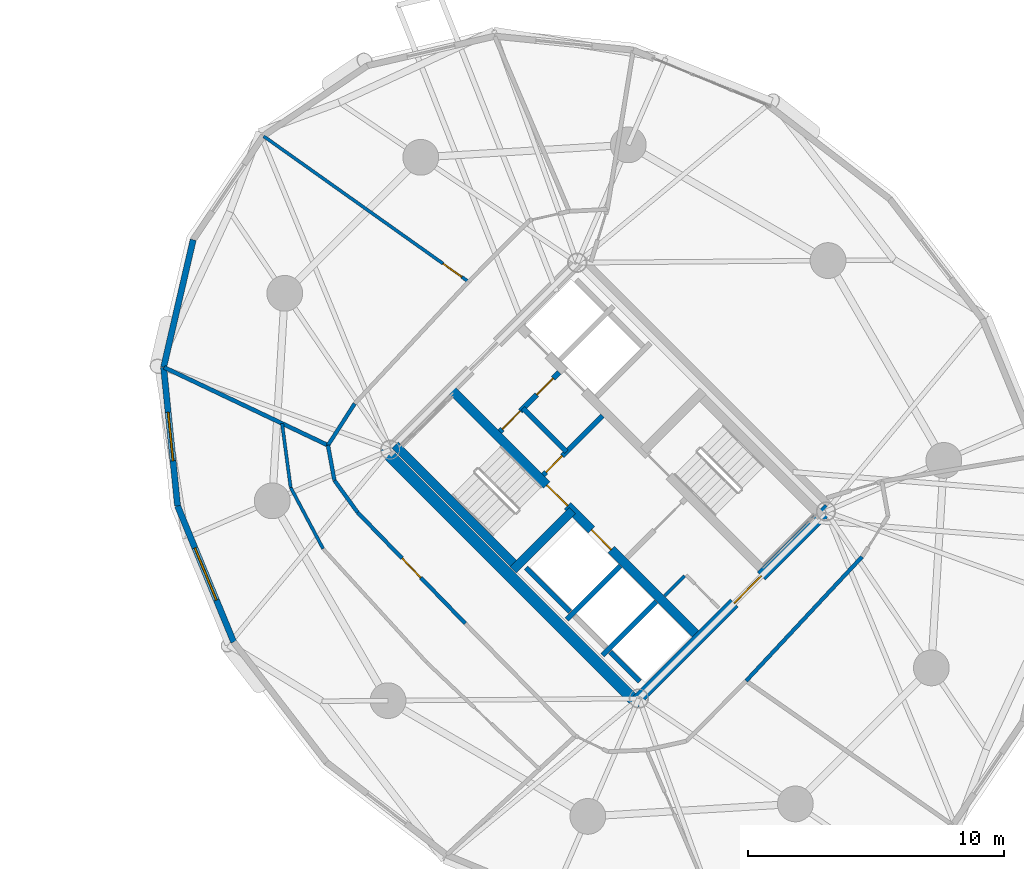
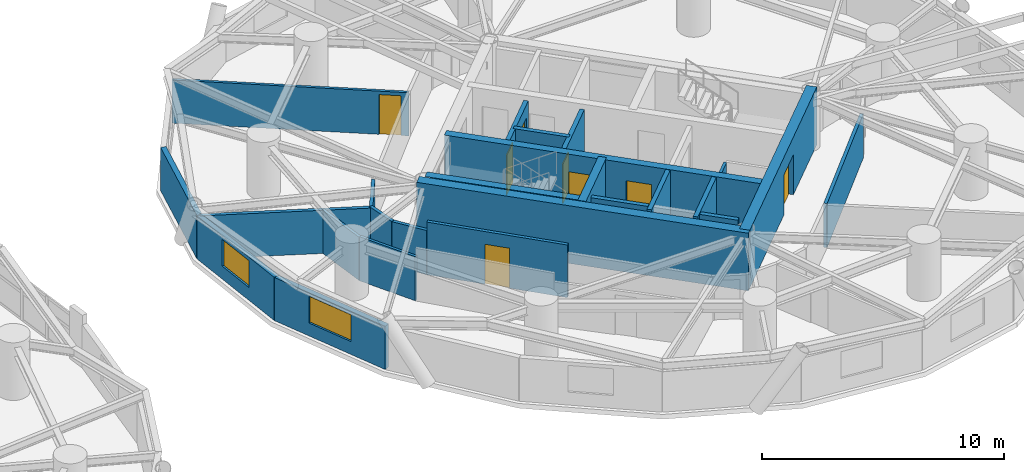
# One storey, part 12 of 17: 25 walls, 8 doors, 2 windows, 10 openings.
"""IFC4 building model written with IfcOpenShell, lengths in metres."""

from ifc_helpers import new_model, si_unit, direction, frame, frame_2d, origin, place, context, subcontext, project, spatial, rectangle, extrude, source, transform, mapped, material, layer, layer_set, type_object, element, fill, save


model = new_model("IFC4")

# Units and contexts
model_context = context("Model", 3, precision=1e-05, world=origin(), true_north=direction((0.0, 1.0)))
body_context = subcontext(model_context, "Body", "Model", "MODEL_VIEW")
ifc_project = project(units=[si_unit("LENGTHUNIT", "METRE"), si_unit("AREAUNIT", "SQUARE_METRE"), si_unit("VOLUMEUNIT", "CUBIC_METRE"), si_unit("PLANEANGLEUNIT", "RADIAN"), si_unit("MASSUNIT", "GRAM", prefix="KILO")], contexts=[model_context])

# Site, building, storey
site_placement = place(None, origin())
site = spatial("IfcSite", under=ifc_project, at=site_placement, CompositionType="ELEMENT")
building_placement = place(site_placement, origin())
building = spatial("IfcBuilding", under=site, at=building_placement, Name="Cununo Teusaquillo Station Towers", CompositionType="ELEMENT")
storey_placement = place(building_placement, frame((0.0, 0.0, 116.7099609375)))
storey = spatial("IfcBuildingStorey", under=building, at=storey_placement, Name="L37", CompositionType="ELEMENT", Elevation=116.7099609375)

# Walls
ifc_material_1 = material(Name="Concrete C50/60", Category="concrete")
ifc_layer_1 = layer(ifc_material_1, 0.199951171875)
ifc_layer_set_1 = layer_set([ifc_layer_1], Name="Concrete C50/60")
wall_type_1 = type_object("IfcWallType", Name="WL-CORE-200", PredefinedType="SHEAR", material=ifc_layer_set_1)
wall_1_placement = place(storey_placement, frame((55.8876953125, 19.0693359375, 0.0), z_axis=(0.0, 0.0, 1.0), x_axis=(0.707106781187, 0.707106781187, 0.0)))
element("IfcWall", 1, at=wall_1_placement, inside=storey, type_object=wall_type_1, Name="L37 Tower B Firefighting Lift Shaft South Shear Wall", PredefinedType="SHEAR", context=body_context, shape_type="SweptSolid", body=[
    extrude(rectangle(XDim=2.969970703125, YDim=0.199951171875, at=frame_2d((1.48486328125, 0.0))), origin(), (0.0, 0.0, 1.0), 2.91015625),
])
wall_2_placement = place(storey_placement, frame((56.01513671875, 19.366455078125, 0.0), z_axis=(0.0, 0.0, 1.0), x_axis=(-0.707106781187, 0.707106781187, 0.0)))
element("IfcWall", 2, at=wall_2_placement, inside=storey, type_object=wall_type_1, Name="L37 Tower B Firefighting Lift Shaft Rear Shear Wall", PredefinedType="SHEAR", context=body_context, shape_type="SweptSolid", body=[
    extrude(rectangle(XDim=2.43994140625, YDim=0.199951171875, at=frame_2d((1.219970703125, 0.0))), origin(), (0.0, 0.0, 1.0), 2.91015625),
])
wall_3_placement = place(storey_placement, frame((57.2841796875, 17.6728515625, 0.0), z_axis=(0.0, 0.0, 1.0), x_axis=(0.707147878904, 0.70706568108, 0.0)))
element("IfcWall", 3, at=wall_3_placement, inside=storey, type_object=wall_type_1, Name="L37 Tower B High-Rise Lift Hoistway Divider Shear Wall", PredefinedType="SHEAR", context=body_context, shape_type="SweptSolid", body=[
    extrude(rectangle(XDim=2.97021484375, YDim=0.199951171875, at=frame_2d((1.485107421875, 0.0))), origin(), (0.0, 0.0, 1.0), 2.91015625),
])
wall_4_placement = place(storey_placement, frame((58.7373046875, 16.64404296875, 0.0), z_axis=(0.0, 0.0, 1.0), x_axis=(-0.707032117043, 0.707181437447, 0.0)))
element("IfcWall", 4, at=wall_4_placement, inside=storey, type_object=wall_type_1, Name="L37 Tower B High-Rise Lift 1 Shaft Rear Shear Wall", PredefinedType="SHEAR", context=body_context, shape_type="SweptSolid", body=[
    extrude(rectangle(XDim=1.635009765625, YDim=0.199951171875, at=frame_2d((0.8173828125, 0.0))), origin(), (0.0, 0.0, 1.0), 2.91015625),
])

# Wall, openings, doors
ifc_material_2 = material(Name="Concrete C50/60", Category="concrete")
ifc_layer_2 = layer(ifc_material_2, 0.35009765625)
ifc_layer_set_2 = layer_set([ifc_layer_2], Name="Concrete C50/60")
wall_type_2 = type_object("IfcWallType", Name="WL-CORE-350", PredefinedType="SHEAR", material=ifc_layer_set_2)
wall_5_placement = place(storey_placement, frame((61.077880859375, 18.355224609375, 0.0), z_axis=(0.0, 0.0, 1.0), x_axis=(-0.707106781187, 0.707106781187, 0.0)))
wall_5 = element("IfcWall", 5, at=wall_5_placement, inside=storey, type_object=wall_type_2, Name="L37 Tower B Core Shear Wall IW", PredefinedType="SHEAR", context=body_context, shape_type="SweptSolid", body=[
    extrude(rectangle(XDim=13.75, YDim=0.35009765625, at=frame_2d((6.875, 0.0))), origin(), (0.0, 0.0, 1.0), 2.91015625),
])
shared_shape_1 = source(origin(), body_context, "Body", "SweptSolid", [
    extrude(rectangle(XDim=1.10009765625, YDim=2.014892578125, at=frame_2d((0.550048828125, 1.00732421875))), frame((0.0, 0.18505859375, 0.0), z_axis=(0.0, -1.0, 0.0), x_axis=(1.0, 0.0, 0.0)), (0.0, 0.0, 1.0), 0.3701171875),
])
opening_1_placement = place(wall_5_placement, frame((4.875, 0.0, 0.0)))
opening_1 = element("IfcOpeningElement", 6, at=opening_1_placement, cuts=wall_5, Name="Opening LD-01", PredefinedType="OPENING", context=body_context, shape_type="MappedRepresentation", body=[
    mapped(shared_shape_1, transform((0.0, 0.0, 0.0), x_axis=(1.0, 0.0, 0.0), y_axis=(0.0, 1.0, 0.0), z_axis=(0.0, 0.0, 1.0), scale=1.0)),
])
shared_shape_2 = source(origin(), body_context, "Body", "SweptSolid", [
    extrude(rectangle(XDim=1.14990234375, YDim=2.02001953125, at=frame_2d((0.574951171875, 1.010009765625))), frame((0.0, 0.18505859375, 0.0), z_axis=(0.0, -1.0, 0.0), x_axis=(1.0, 0.0, 0.0)), (0.0, 0.0, 1.0), 0.3701171875),
])
opening_2_placement = place(wall_5_placement, frame((7.294921875, 0.0, 0.0)))
opening_2 = element("IfcOpeningElement", 7, at=opening_2_placement, cuts=wall_5, Name="Opening D-ST1", PredefinedType="OPENING", context=body_context, shape_type="MappedRepresentation", body=[
    mapped(shared_shape_2, transform((0.0, 0.0, 0.0), x_axis=(1.0, 0.0, 0.0), y_axis=(0.0, 1.0, 0.0), z_axis=(0.0, 0.0, 1.0), scale=1.0)),
])
ifc_material_3 = material(Name="Galvanised fire-rated hollow steel door assembly", Category="steel")
door_type_1 = type_object("IfcDoorType", Name="DR-LIFT-1100", OperationType="SLIDING_TO_LEFT", PredefinedType="DOOR", material=ifc_material_3)
shared_shape_3 = source(origin(), body_context, "Body", "SweptSolid", [
    extrude(rectangle(XDim=1.10009765625, YDim=2.014892578125, at=frame_2d((0.550048828125, 1.00732421875))), frame((0.0, 0.02490234375, 0.0), z_axis=(0.0, -1.0, 0.0), x_axis=(1.0, 0.0, 0.0)), (0.0, 0.0, 1.0), 0.050048828125),
])
door_1_placement = place(opening_1_placement, origin())
door_1 = element("IfcDoor", 8, at=door_1_placement, inside=storey, type_object=door_type_1, Name="L37 Lift FL-T2 Sliding Landing Door", OperationType="SLIDING_TO_LEFT", OverallHeight=2.014892578125, OverallWidth=1.10009765625, PredefinedType="DOOR", context=body_context, shape_type="MappedRepresentation", body=[
    mapped(shared_shape_3, transform((0.0, 0.0, 0.0), x_axis=(1.0, 0.0, 0.0), y_axis=(0.0, 1.0, 0.0), z_axis=(0.0, 0.0, 1.0), scale=1.0)),
])
fill(opening_1, door_1)
ifc_material_4 = material(Name="Galvanised fire-rated hollow steel door assembly", Category="steel")
door_type_2 = type_object("IfcDoorType", Name="DR-STAIR-1150", OperationType="NOTDEFINED", PredefinedType="DOOR", material=ifc_material_4)
shared_shape_4 = source(origin(), body_context, "Body", "SweptSolid", [
    extrude(rectangle(XDim=1.14990234375, YDim=2.02001953125, at=frame_2d((0.574951171875, 1.010009765625))), frame((0.0, 0.02490234375, 0.0), z_axis=(0.0, -1.0, 0.0), x_axis=(1.0, 0.0, 0.0)), (0.0, 0.0, 1.0), 0.050048828125),
])
door_2_placement = place(opening_2_placement, origin())
door_2 = element("IfcDoor", 9, at=door_2_placement, inside=storey, type_object=door_type_2, Name="L37 Tower B Exit Stair 1 Fire Door", OperationType="SINGLE_SWING_LEFT", OverallHeight=2.02001953125, OverallWidth=1.14990234375, PredefinedType="DOOR", context=body_context, shape_type="MappedRepresentation", body=[
    mapped(shared_shape_4, transform((0.0, 0.0, 0.0), x_axis=(1.0, 0.0, 0.0), y_axis=(0.0, 1.0, 0.0), z_axis=(0.0, 0.0, 1.0), scale=1.0)),
])
fill(opening_2, door_2)

# Walls
wall_6_placement = place(storey_placement, frame((53.922119140625, 21.14111328125, 0.0), z_axis=(0.0, 0.0, 1.0), x_axis=(-0.707088616009, 0.707124945897, 0.0)))
element("IfcWall", 10, at=wall_6_placement, inside=storey, type_object=wall_type_2, Name="L37 Tower B Core Shear Wall ST1W", PredefinedType="SHEAR", context=body_context, shape_type="SweptSolid", body=[
    extrude(rectangle(XDim=6.72021484375, YDim=0.35009765625, at=frame_2d((3.360107421875, 0.0))), origin(), (0.0, 0.0, 1.0), 2.91015625),
])
wall_7_placement = place(storey_placement, frame((53.7841796875, 21.00341796875, 0.0), z_axis=(0.0, 0.0, 1.0), x_axis=(0.707106781187, 0.707106781187, 0.0)))
element("IfcWall", 11, at=wall_7_placement, inside=storey, type_object=wall_type_2, Name="L37 Tower B Core Shear Wall ST1S", PredefinedType="SHEAR", context=body_context, shape_type="SweptSolid", body=[
    extrude(rectangle(XDim=3.284912109375, YDim=0.35009765625, at=frame_2d((1.642578125, 0.0))), origin(), (0.0, 0.0, 1.0), 2.91015625),
])
ifc_material_5 = material(Name="Concrete C60/75", Category="concrete")
ifc_layer_3 = layer(ifc_material_5, 0.449951171875)
ifc_layer_set_3 = layer_set([ifc_layer_3], Name="Concrete C60/75")
wall_type_3 = type_object("IfcWallType", Name="WL-CORE-450", PredefinedType="SHEAR", material=ifc_layer_set_3)
wall_8_placement = place(storey_placement, frame((58.7373046875, 15.696533203125, 0.0), z_axis=(0.0, 0.0, 1.0), x_axis=(-0.707106781187, 0.707106781187, 0.0)))
element("IfcWall", 12, at=wall_8_placement, inside=storey, type_object=wall_type_3, Name="L37 Tower B Core Shear Wall W", PredefinedType="SHEAR", context=body_context, shape_type="SweptSolid", body=[
    extrude(rectangle(XDim=14.19970703125, YDim=0.449951171875, at=frame_2d((7.099853515625, 0.0))), origin(), (0.0, 0.0, 1.0), 2.91015625),
])

# Wall, opening, door
wall_9_placement = place(storey_placement, frame((58.578369140625, 15.855712890625, 0.0), z_axis=(0.0, 0.0, 1.0), x_axis=(0.707106781187, 0.707106781187, 0.0)))
wall_9 = element("IfcWall", 13, at=wall_9_placement, inside=storey, type_object=wall_type_3, Name="L37 Tower B Core Shear Wall S", PredefinedType="SHEAR", context=body_context, shape_type="SweptSolid", body=[
    extrude(rectangle(XDim=10.69970703125, YDim=0.449951171875, at=frame_2d((5.349853515625, 0.0))), origin(), (0.0, 0.0, 1.0), 2.91015625),
])
shared_shape_5 = source(origin(), body_context, "Body", "SweptSolid", [
    extrude(rectangle(XDim=1.5, YDim=2.02001953125, at=frame_2d((0.75, 1.010009765625))), frame((0.0, 0.23486328125, 0.0), z_axis=(0.0, -1.0, 0.0), x_axis=(1.0, 0.0, 0.0)), (0.0, 0.0, 1.0), 0.469970703125),
])
opening_3_placement = place(wall_9_placement, frame((5.449951171875, 0.0, 0.0)))
opening_3 = element("IfcOpeningElement", 14, at=opening_3_placement, cuts=wall_9, Name="Opening D-LB1", PredefinedType="OPENING", context=body_context, shape_type="MappedRepresentation", body=[
    mapped(shared_shape_5, transform((0.0, 0.0, 0.0), x_axis=(1.0, 0.0, 0.0), y_axis=(0.0, 1.0, 0.0), z_axis=(0.0, 0.0, 1.0), scale=1.0)),
])
ifc_material_6 = material(Name="Galvanised fire-rated hollow steel door assembly", Category="steel")
door_type_3 = type_object("IfcDoorType", Name="DR-LOBBY-1500", OperationType="DOUBLE_DOOR_SINGLE_SWING", PredefinedType="DOOR", material=ifc_material_6)
shared_shape_6 = source(origin(), body_context, "Body", "SweptSolid", [
    extrude(rectangle(XDim=1.5, YDim=2.02001953125, at=frame_2d((0.75, 1.010009765625))), frame((0.0, 0.02490234375, 0.0), z_axis=(0.0, -1.0, 0.0), x_axis=(1.0, 0.0, 0.0)), (0.0, 0.0, 1.0), 0.050048828125),
])
door_3_placement = place(opening_3_placement, origin())
door_3 = element("IfcDoor", 15, at=door_3_placement, inside=storey, type_object=door_type_3, Name="L37 Tower B South Core Lift Lobby Door", OperationType="DOUBLE_DOOR_SINGLE_SWING", OverallHeight=2.02001953125, OverallWidth=1.5, PredefinedType="DOOR", context=body_context, shape_type="MappedRepresentation", body=[
    mapped(shared_shape_6, transform((0.0, 0.0, 0.0), x_axis=(1.0, 0.0, 0.0), y_axis=(0.0, 1.0, 0.0), z_axis=(0.0, 0.0, 1.0), scale=1.0)),
])
fill(opening_3, door_3)

# Wall
ifc_material_7 = material(Name="Precast concrete C40/50", Category="concrete")
ifc_layer_4 = layer(ifc_material_7, 0.239990234375)
ifc_layer_set_4 = layer_set([ifc_layer_4], Name="Precast concrete C40/50")
wall_type_4 = type_object("IfcWallType", Name="WL-EXT-240", PredefinedType="SOLIDWALL", material=ifc_layer_set_4)
wall_10_placement = place(storey_placement, frame((40.114990234375, 28.933349609375, 0.0), z_axis=(0.0, 0.0, 1.0), x_axis=(0.225834725257, 0.974165631126, 0.0)))
element("IfcWall", 16, at=wall_10_placement, inside=storey, type_object=wall_type_4, Name="L37 Tower B Exterior Facade Wall C06", PredefinedType="SOLIDWALL", context=body_context, shape_type="SweptSolid", body=[
    extrude(rectangle(XDim=5.118896484375, YDim=0.239990234375, at=frame_2d((2.5595703125, 0.0))), origin(), (0.0, 0.0, 1.0), 2.178955078125),
])

# Wall, opening, window
wall_11_placement = place(storey_placement, frame((40.66064453125, 23.5126953125, 0.0), z_axis=(0.0, 0.0, 1.0), x_axis=(-0.10015591906, 0.994971754311, 0.0)))
wall_11 = element("IfcWall", 17, at=wall_11_placement, inside=storey, type_object=wall_type_4, Name="L37 Tower B Exterior Facade Wall C07", PredefinedType="SOLIDWALL", context=body_context, shape_type="SweptSolid", body=[
    extrude(rectangle(XDim=5.447998046875, YDim=0.239990234375, at=frame_2d((2.72412109375, 0.0))), origin(), (0.0, 0.0, 1.0), 2.178955078125),
])
shared_shape_7 = source(origin(), body_context, "Body", "SweptSolid", [
    extrude(rectangle(XDim=1.89990234375, YDim=1.35009765625, at=frame_2d((0.949951171875, 0.675048828125))), frame((0.0, 0.1298828125, 0.0), z_axis=(0.0, -1.0, 0.0), x_axis=(1.0, 0.0, 0.0)), (0.0, 0.0, 1.0), 0.260009765625),
])
opening_4_placement = place(wall_11_placement, frame((1.77392578125, 0.0, 0.64990234375)))
opening_4 = element("IfcOpeningElement", 18, at=opening_4_placement, cuts=wall_11, Name="Opening WN-02", PredefinedType="OPENING", context=body_context, shape_type="MappedRepresentation", body=[
    mapped(shared_shape_7, transform((0.0, 0.0, 0.0), x_axis=(1.0, 0.0, 0.0), y_axis=(0.0, 1.0, 0.0), z_axis=(0.0, 0.0, 1.0), scale=1.0)),
])
ifc_material_8 = material(Name="Operable acoustic tinted low-E double glazing", Category="glass")
window_type_1 = type_object("IfcWindowType", Name="WIN-OPER-1900", PartitioningType="DOUBLE_PANEL_VERTICAL", PredefinedType="WINDOW", material=ifc_material_8)
shared_shape_8 = source(origin(), body_context, "Body", "SweptSolid", [
    extrude(rectangle(XDim=1.89990234375, YDim=1.35009765625, at=frame_2d((0.949951171875, 0.675048828125))), frame((0.0, 0.030029296875, 0.0), z_axis=(0.0, -1.0, 0.0), x_axis=(1.0, 0.0, 0.0)), (0.0, 0.0, 1.0), 0.06005859375),
])
window_1_placement = place(opening_4_placement, origin())
window_1 = element("IfcWindow", 19, at=window_1_placement, inside=storey, type_object=window_type_1, Name="L37 Tower B Facade Window C07", OverallHeight=1.35009765625, OverallWidth=1.89990234375, PartitioningType="DOUBLE_PANEL_VERTICAL", PredefinedType="WINDOW", context=body_context, shape_type="MappedRepresentation", body=[
    mapped(shared_shape_8, transform((0.0, 0.0, 0.0), x_axis=(1.0, 0.0, 0.0), y_axis=(0.0, 1.0, 0.0), z_axis=(0.0, 0.0, 1.0), scale=1.0)),
])
fill(opening_4, window_1)

wall_12_placement = place(storey_placement, frame((42.854736328125, 18.188720703125, 0.0), z_axis=(0.0, 0.0, 1.0), x_axis=(-0.381027003055, 0.924563909604, 0.0)))
wall_12 = element("IfcWall", 20, at=wall_12_placement, inside=storey, type_object=wall_type_4, Name="L37 Tower B Exterior Facade Wall C08", PredefinedType="SOLIDWALL", context=body_context, shape_type="SweptSolid", body=[
    extrude(rectangle(XDim=5.75830078125, YDim=0.239990234375, at=frame_2d((2.879150390625, 0.0))), origin(), (0.0, 0.0, 1.0), 2.178955078125),
])
shared_shape_9 = source(origin(), body_context, "Body", "SweptSolid", [
    extrude(rectangle(XDim=2.199951171875, YDim=1.35009765625, at=frame_2d((1.10009765625, 0.675048828125))), frame((0.0, 0.1298828125, 0.0), z_axis=(0.0, -1.0, 0.0), x_axis=(1.0, 0.0, 0.0)), (0.0, 0.0, 1.0), 0.260009765625),
])
opening_5_placement = place(wall_12_placement, frame((1.779052734375, 0.0, 0.64990234375)))
opening_5 = element("IfcOpeningElement", 21, at=opening_5_placement, cuts=wall_12, Name="Opening WN-01", PredefinedType="OPENING", context=body_context, shape_type="MappedRepresentation", body=[
    mapped(shared_shape_9, transform((0.0, 0.0, 0.0), x_axis=(1.0, 0.0, 0.0), y_axis=(0.0, 1.0, 0.0), z_axis=(0.0, 0.0, 1.0), scale=1.0)),
])
ifc_material_9 = material(Name="Ceramic-fritted dark low-E double glazing", Category="glass")
window_type_2 = type_object("IfcWindowType", Name="WIN-FRIT-2200", PartitioningType="DOUBLE_PANEL_VERTICAL", PredefinedType="WINDOW", material=ifc_material_9)
shared_shape_10 = source(origin(), body_context, "Body", "SweptSolid", [
    extrude(rectangle(XDim=2.199951171875, YDim=1.35009765625, at=frame_2d((1.10009765625, 0.675048828125))), frame((0.0, 0.030029296875, 0.0), z_axis=(0.0, -1.0, 0.0), x_axis=(1.0, 0.0, 0.0)), (0.0, 0.0, 1.0), 0.06005859375),
])
window_2_placement = place(opening_5_placement, origin())
window_2 = element("IfcWindow", 22, at=window_2_placement, inside=storey, type_object=window_type_2, Name="L37 Tower B Facade Window C08", OverallHeight=1.35009765625, OverallWidth=2.199951171875, PartitioningType="DOUBLE_PANEL_VERTICAL", PredefinedType="WINDOW", context=body_context, shape_type="MappedRepresentation", body=[
    mapped(shared_shape_10, transform((0.0, 0.0, 0.0), x_axis=(1.0, 0.0, 0.0), y_axis=(0.0, 1.0, 0.0), z_axis=(0.0, 0.0, 1.0), scale=1.0)),
])
fill(opening_5, window_2)

# Wall
ifc_material_10 = material(Name="Fire-rated gypsum plasterboard partition assembly", Category="gypsum")
ifc_layer_5 = layer(ifc_material_10, 0.125)
ifc_layer_set_5 = layer_set([ifc_layer_5], Name="Fire-rated gypsum plasterboard partition assembly")
wall_type_5 = type_object("IfcWallType", Name="WL-PART-125", PredefinedType="PARTITIONING", material=ifc_layer_set_5)
wall_13_placement = place(storey_placement, frame((59.713134765625, 19.99560546875, 0.0), z_axis=(0.0, 0.0, 1.0), x_axis=(0.707217726, 0.706995818963, 0.0)))
element("IfcWall", 23, at=wall_13_placement, inside=storey, type_object=wall_type_5, Name="L37 Tower B South-West Compact Store North Wall", PredefinedType="PARTITIONING", context=body_context, shape_type="SweptSolid", body=[
    extrude(rectangle(XDim=1.10009765625, YDim=0.125, at=frame_2d((0.550048828125, 0.0))), origin(), (0.0, 0.0, 1.0), 2.655029296875),
])

# Wall, opening, door
wall_14_placement = place(storey_placement, frame((52.04345703125, 32.27978515625, 0.0), z_axis=(0.0, 0.0, 1.0), x_axis=(-0.81534487613, 0.578975589268, 0.0)))
wall_14 = element("IfcWall", 24, at=wall_14_placement, inside=storey, type_object=wall_type_5, Name="L37 Tower B Executive C-Suite Corner Office Suite Subdividing Wall", PredefinedType="PARTITIONING", context=body_context, shape_type="SweptSolid", body=[
    extrude(rectangle(XDim=9.828857421875, YDim=0.125, at=frame_2d((4.91455078125, 0.0))), origin(), (0.0, 0.0, 1.0), 2.178955078125),
])
shared_shape_11 = source(origin(), body_context, "Body", "SweptSolid", [
    extrude(rectangle(XDim=0.89990234375, YDim=2.0048828125, at=frame_2d((0.449951171875, 1.00244140625))), frame((0.0, 0.072509765625, 0.0), z_axis=(0.0, -1.0, 0.0), x_axis=(1.0, 0.0, 0.0)), (0.0, 0.0, 1.0), 0.14501953125),
])
opening_6_placement = place(wall_14_placement, frame((0.330078125, 0.0, 0.0)))
opening_6 = element("IfcOpeningElement", 25, at=opening_6_placement, cuts=wall_14, Name="Opening D-IN1", PredefinedType="OPENING", context=body_context, shape_type="MappedRepresentation", body=[
    mapped(shared_shape_11, transform((0.0, 0.0, 0.0), x_axis=(1.0, 0.0, 0.0), y_axis=(0.0, 1.0, 0.0), z_axis=(0.0, 0.0, 1.0), scale=1.0)),
])
ifc_material_11 = material(Name="Acoustic solid-core hardwood leaf assembly", Category="wood")
door_type_4 = type_object("IfcDoorType", Name="DR-INT-900", OperationType="NOTDEFINED", PredefinedType="DOOR", material=ifc_material_11)
shared_shape_12 = source(origin(), body_context, "Body", "SweptSolid", [
    extrude(rectangle(XDim=0.89990234375, YDim=2.0048828125, at=frame_2d((0.449951171875, 1.00244140625))), frame((0.0, 0.02490234375, 0.0), z_axis=(0.0, -1.0, 0.0), x_axis=(1.0, 0.0, 0.0)), (0.0, 0.0, 1.0), 0.050048828125),
])
door_4_placement = place(opening_6_placement, origin())
door_4 = element("IfcDoor", 26, at=door_4_placement, inside=storey, type_object=door_type_4, Name="L37 Tower B Executive C-Suite Corner Office Suite Connecting Door", OperationType="SINGLE_SWING_RIGHT", OverallHeight=2.0048828125, OverallWidth=0.89990234375, PredefinedType="DOOR", context=body_context, shape_type="MappedRepresentation", body=[
    mapped(shared_shape_12, transform((0.0, 0.0, 0.0), x_axis=(1.0, 0.0, 0.0), y_axis=(0.0, 1.0, 0.0), z_axis=(0.0, 0.0, 1.0), scale=1.0)),
])
fill(opening_6, door_4)

# Walls
wall_15_placement = place(storey_placement, frame((44.748779296875, 26.735595703125, 0.0), z_axis=(0.0, 0.0, 1.0), x_axis=(0.132518524874, -0.991180528746, 0.0)))
element("IfcWall", 27, at=wall_15_placement, inside=storey, type_object=wall_type_5, Name="L37 Tower B Corporate Strategy Boardroom Concentric Partition Wall C07", PredefinedType="PARTITIONING", context=body_context, shape_type="SweptSolid", body=[
    extrude(rectangle(XDim=2.52392578125, YDim=0.125, at=frame_2d((1.261962890625, 0.0))), origin(), (0.0, 0.0, 1.0), 2.178955078125),
])
wall_16_placement = place(storey_placement, frame((45.083251953125, 24.23388671875, 0.0), z_axis=(0.0, 0.0, 1.0), x_axis=(0.468015958378, -0.883720013751, 0.0)))
element("IfcWall", 28, at=wall_16_placement, inside=storey, type_object=wall_type_5, Name="L37 Tower B Corporate Strategy Boardroom Concentric Partition Wall C08", PredefinedType="PARTITIONING", context=body_context, shape_type="SweptSolid", body=[
    extrude(rectangle(XDim=2.71142578125, YDim=0.125, at=frame_2d((1.355712890625, 0.0))), origin(), (0.0, 0.0, 1.0), 2.22509765625),
])
ifc_material_12 = material(Name="Fire-rated gypsum plasterboard partition assembly", Category="gypsum")
ifc_layer_6 = layer(ifc_material_12, 0.14990234375)
ifc_layer_set_6 = layer_set([ifc_layer_6], Name="Fire-rated gypsum plasterboard partition assembly")
wall_type_6 = type_object("IfcWallType", Name="WL-PART-150", PredefinedType="PARTITIONING", material=ifc_layer_set_6)
wall_17_placement = place(storey_placement, frame((47.58837890625, 27.51025390625, 0.0), z_axis=(0.0, 0.0, 1.0), x_axis=(-0.540202619347, -0.841534984449, 0.0)))
element("IfcWall", 29, at=wall_17_placement, inside=storey, type_object=wall_type_6, Name="L37 Tower B Corridor Ring Wall C06", PredefinedType="PARTITIONING", context=body_context, shape_type="SweptSolid", body=[
    extrude(rectangle(XDim=1.934814453125, YDim=0.14990234375, at=frame_2d((0.96728515625, 0.0))), origin(), (0.0, 0.0, 1.0), 2.22509765625),
])
wall_18_placement = place(storey_placement, frame((46.543212890625, 25.882080078125, 0.0), z_axis=(0.0, 0.0, 1.0), x_axis=(0.181153502579, -0.983454832976, 0.0)))
element("IfcWall", 30, at=wall_18_placement, inside=storey, type_object=wall_type_6, Name="L37 Tower B Corridor Ring Wall C07", PredefinedType="PARTITIONING", context=body_context, shape_type="SweptSolid", body=[
    extrude(rectangle(XDim=1.39208984375, YDim=0.14990234375, at=frame_2d((0.696044921875, 0.0))), origin(), (0.0, 0.0, 1.0), 2.22509765625),
])
wall_19_placement = place(storey_placement, frame((46.79541015625, 24.512939453125, 0.0), z_axis=(0.0, 0.0, 1.0), x_axis=(0.585628197524, -0.810579801294, 0.0)))
element("IfcWall", 31, at=wall_19_placement, inside=storey, type_object=wall_type_6, Name="L37 Tower B Corridor Ring Wall C08", PredefinedType="PARTITIONING", context=body_context, shape_type="SweptSolid", body=[
    extrude(rectangle(XDim=1.55419921875, YDim=0.14990234375, at=frame_2d((0.777099609375, 0.0))), origin(), (0.0, 0.0, 1.0), 2.22509765625),
])

# Wall, opening, door
wall_20_placement = place(storey_placement, frame((47.70556640625, 23.253173828125, 0.0), z_axis=(0.0, 0.0, 1.0), x_axis=(0.696179266346, -0.717867974707, 0.0)))
wall_20 = element("IfcWall", 32, at=wall_20_placement, inside=storey, type_object=wall_type_6, Name="L37 Tower B Corridor Ring Wall C09", PredefinedType="PARTITIONING", context=body_context, shape_type="SweptSolid", body=[
    extrude(rectangle(XDim=6.044677734375, YDim=0.14990234375, at=frame_2d((3.0224609375, 0.0))), origin(), (0.0, 0.0, 1.0), 2.655029296875),
])
shared_shape_13 = source(origin(), body_context, "Body", "SweptSolid", [
    extrude(rectangle(XDim=1.050048828125, YDim=2.014892578125, at=frame_2d((0.52490234375, 1.00732421875))), frame((0.0, 0.0849609375, 0.0), z_axis=(0.0, -1.0, 0.0), x_axis=(1.0, 0.0, 0.0)), (0.0, 0.0, 1.0), 0.169921875),
])
opening_7_placement = place(wall_20_placement, frame((2.497314453125, 0.0, 0.0)))
opening_7 = element("IfcOpeningElement", 33, at=opening_7_placement, cuts=wall_20, Name="Opening D-SU1", PredefinedType="OPENING", context=body_context, shape_type="MappedRepresentation", body=[
    mapped(shared_shape_13, transform((0.0, 0.0, 0.0), x_axis=(1.0, 0.0, 0.0), y_axis=(0.0, 1.0, 0.0), z_axis=(0.0, 0.0, 1.0), scale=1.0)),
])
ifc_material_13 = material(Name="Acoustic solid-core hardwood leaf assembly", Category="wood")
door_type_5 = type_object("IfcDoorType", Name="DR-SUITE-1050", OperationType="NOTDEFINED", PredefinedType="DOOR", material=ifc_material_13)
shared_shape_14 = source(origin(), body_context, "Body", "SweptSolid", [
    extrude(rectangle(XDim=1.050048828125, YDim=2.014892578125, at=frame_2d((0.52490234375, 1.00732421875))), frame((0.0, 0.02490234375, 0.0), z_axis=(0.0, -1.0, 0.0), x_axis=(1.0, 0.0, 0.0)), (0.0, 0.0, 1.0), 0.050048828125),
])
door_5_placement = place(opening_7_placement, origin())
door_5 = element("IfcDoor", 34, at=door_5_placement, inside=storey, type_object=door_type_5, Name="L37 Tower B Corporate Strategy Boardroom Entrance Door", OperationType="SINGLE_SWING_LEFT", OverallHeight=2.014892578125, OverallWidth=1.050048828125, PredefinedType="DOOR", context=body_context, shape_type="MappedRepresentation", body=[
    mapped(shared_shape_14, transform((0.0, 0.0, 0.0), x_axis=(1.0, 0.0, 0.0), y_axis=(0.0, 1.0, 0.0), z_axis=(0.0, 0.0, 1.0), scale=1.0)),
])
fill(opening_7, door_5)

# Walls
wall_21_placement = place(storey_placement, frame((62.902587890625, 16.66650390625, 0.0), z_axis=(0.0, 0.0, 1.0), x_axis=(0.682371947497, 0.731005147225, 0.0)))
element("IfcWall", 35, at=wall_21_placement, inside=storey, type_object=wall_type_6, Name="L37 Tower B Corridor Ring Wall C15", PredefinedType="PARTITIONING", context=body_context, shape_type="SweptSolid", body=[
    extrude(rectangle(XDim=6.6416015625, YDim=0.14990234375, at=frame_2d((3.32080078125, 0.0))), origin(), (0.0, 0.0, 1.0), 2.22509765625),
])
ifc_material_14 = material(Name="Fire-rated gypsum plasterboard partition assembly", Category="gypsum")
ifc_layer_7 = layer(ifc_material_14, 0.159912109375)
ifc_layer_set_7 = layer_set([ifc_layer_7], Name="Fire-rated gypsum plasterboard partition assembly")
wall_type_7 = type_object("IfcWallType", Name="WL-PART-160", PredefinedType="PARTITIONING", material=ifc_layer_set_7)
wall_22_placement = place(storey_placement, frame((46.543212890625, 25.882080078125, 0.0), z_axis=(0.0, 0.0, 1.0), x_axis=(-0.903054383171, 0.429526228576, 0.0)))
element("IfcWall", 36, at=wall_22_placement, inside=storey, type_object=wall_type_7, Name="L37 Tower B Radial Suite Partition R03", PredefinedType="PARTITIONING", context=body_context, shape_type="SweptSolid", body=[
    extrude(rectangle(XDim=7.096435546875, YDim=0.159912109375, at=frame_2d((3.54833984375, 0.0))), origin(), (0.0, 0.0, 1.0), 2.178955078125),
])

# Wall, opening, door
ifc_material_15 = material(Name="Fire-rated gypsum plasterboard partition assembly", Category="gypsum")
ifc_layer_8 = layer(ifc_material_15, 0.199951171875)
ifc_layer_set_8 = layer_set([ifc_layer_8], Name="Fire-rated gypsum plasterboard partition assembly")
wall_type_8 = type_object("IfcWallType", Name="WL-PART-200", PredefinedType="PARTITIONING", material=ifc_layer_set_8)
wall_23_placement = place(storey_placement, frame((54.96142578125, 24.71923828125, 0.0), z_axis=(0.0, 0.0, 1.0), x_axis=(0.707106781187, 0.707106781187, 0.0)))
wall_23 = element("IfcWall", 37, at=wall_23_placement, inside=storey, type_object=wall_type_8, Name="L37 Tower B Firefighting Lift Lobby North Fire Wall", PredefinedType="PARTITIONING", context=body_context, shape_type="SweptSolid", body=[
    extrude(rectangle(XDim=3.280029296875, YDim=0.199951171875, at=frame_2d((1.64013671875, 0.0))), origin(), (0.0, 0.0, 1.0), 2.655029296875),
])
shared_shape_15 = source(origin(), body_context, "Body", "SweptSolid", [
    extrude(rectangle(XDim=0.89990234375, YDim=2.0048828125, at=frame_2d((0.449951171875, 1.00244140625))), frame((0.0, 0.10986328125, 0.0), z_axis=(0.0, -1.0, 0.0), x_axis=(1.0, 0.0, 0.0)), (0.0, 0.0, 1.0), 0.219970703125),
])
opening_8_placement = place(wall_23_placement, frame((0.159912109375, 0.0, 0.0)))
opening_8 = element("IfcOpeningElement", 38, at=opening_8_placement, cuts=wall_23, Name="Opening D-SR1", PredefinedType="OPENING", context=body_context, shape_type="MappedRepresentation", body=[
    mapped(shared_shape_15, transform((0.0, 0.0, 0.0), x_axis=(1.0, 0.0, 0.0), y_axis=(0.0, 1.0, 0.0), z_axis=(0.0, 0.0, 1.0), scale=1.0)),
])
ifc_material_16 = material(Name="Galvanised fire-rated hollow steel door assembly", Category="steel")
door_type_6 = type_object("IfcDoorType", Name="DR-STORE-900", OperationType="NOTDEFINED", PredefinedType="DOOR", material=ifc_material_16)
door_6_placement = place(opening_8_placement, origin())
door_6 = element("IfcDoor", 39, at=door_6_placement, inside=storey, type_object=door_type_6, Name="L37 Tower B Stair 1 Protected Vestibule South Door", OperationType="SINGLE_SWING_LEFT", OverallHeight=2.0048828125, OverallWidth=0.89990234375, PredefinedType="DOOR", context=body_context, shape_type="MappedRepresentation", body=[
    mapped(shared_shape_12, transform((0.0, 0.0, 0.0), x_axis=(1.0, 0.0, 0.0), y_axis=(0.0, 1.0, 0.0), z_axis=(0.0, 0.0, 1.0), scale=1.0)),
])
fill(opening_8, door_6)

# Wall
wall_24_placement = place(storey_placement, frame((55.873779296875, 25.63134765625, 0.0), z_axis=(0.0, 0.0, 1.0), x_axis=(-0.707157639372, 0.707055919343, 0.0)))
element("IfcWall", 40, at=wall_24_placement, inside=storey, type_object=wall_type_8, Name="L37 Tower B Stair 1 Vestibule Partition Wall", PredefinedType="PARTITIONING", context=body_context, shape_type="SweptSolid", body=[
    extrude(rectangle(XDim=2.400146484375, YDim=0.199951171875, at=frame_2d((1.2001953125, 0.0))), origin(), (0.0, 0.0, 1.0), 2.655029296875),
])

# Wall, openings, doors
wall_25_placement = place(storey_placement, frame((53.264404296875, 26.416259765625, 0.0), z_axis=(0.0, 0.0, 1.0), x_axis=(0.707106781187, 0.707106781187, 0.0)))
wall_25 = element("IfcWall", 41, at=wall_25_placement, inside=storey, type_object=wall_type_8, Name="L37 Tower B North Lift Lobby South Fire Wall", PredefinedType="PARTITIONING", context=body_context, shape_type="SweptSolid", body=[
    extrude(rectangle(XDim=3.280029296875, YDim=0.199951171875, at=frame_2d((1.64013671875, 0.0))), origin(), (0.0, 0.0, 1.0), 2.655029296875),
])
shared_shape_16 = source(origin(), body_context, "Body", "SweptSolid", [
    extrude(rectangle(XDim=1.0, YDim=2.014892578125, at=frame_2d((0.5, 1.00732421875))), frame((0.0, 0.10986328125, 0.0), z_axis=(0.0, -1.0, 0.0), x_axis=(1.0, 0.0, 0.0)), (0.0, 0.0, 1.0), 0.219970703125),
])
opening_9_placement = place(wall_25_placement, frame((0.139892578125, 0.0, 0.0)))
opening_9 = element("IfcOpeningElement", 42, at=opening_9_placement, cuts=wall_25, Name="Opening D-AC1", PredefinedType="OPENING", context=body_context, shape_type="MappedRepresentation", body=[
    mapped(shared_shape_16, transform((0.0, 0.0, 0.0), x_axis=(1.0, 0.0, 0.0), y_axis=(0.0, 1.0, 0.0), z_axis=(0.0, 0.0, 1.0), scale=1.0)),
])
opening_10_placement = place(wall_25_placement, frame((2.050048828125, 0.0, 0.0)))
opening_10 = element("IfcOpeningElement", 43, at=opening_10_placement, cuts=wall_25, Name="Opening D-SR1", PredefinedType="OPENING", context=body_context, shape_type="MappedRepresentation", body=[
    mapped(shared_shape_15, transform((0.0, 0.0, 0.0), x_axis=(1.0, 0.0, 0.0), y_axis=(0.0, 1.0, 0.0), z_axis=(0.0, 0.0, 1.0), scale=1.0)),
])
door_7_placement = place(opening_10_placement, origin())
door_7 = element("IfcDoor", 44, at=door_7_placement, inside=storey, type_object=door_type_6, Name="L37 Tower B Core Housekeeping & Linen Store Door", OperationType="SINGLE_SWING_RIGHT", OverallHeight=2.0048828125, OverallWidth=0.89990234375, PredefinedType="DOOR", context=body_context, shape_type="MappedRepresentation", body=[
    mapped(shared_shape_12, transform((0.0, 0.0, 0.0), x_axis=(1.0, 0.0, 0.0), y_axis=(0.0, 1.0, 0.0), z_axis=(0.0, 0.0, 1.0), scale=1.0)),
])
fill(opening_10, door_7)
ifc_material_17 = material(Name="Acoustic solid-core hardwood leaf assembly", Category="wood")
door_type_7 = type_object("IfcDoorType", Name="DR-ACC-1000", OperationType="NOTDEFINED", PredefinedType="DOOR", material=ifc_material_17)
shared_shape_17 = source(origin(), body_context, "Body", "SweptSolid", [
    extrude(rectangle(XDim=1.0, YDim=2.014892578125, at=frame_2d((0.5, 1.00732421875))), frame((0.0, 0.02490234375, 0.0), z_axis=(0.0, -1.0, 0.0), x_axis=(1.0, 0.0, 0.0)), (0.0, 0.0, 1.0), 0.050048828125),
])
door_8_placement = place(opening_9_placement, origin())
door_8 = element("IfcDoor", 45, at=door_8_placement, inside=storey, type_object=door_type_7, Name="L37 Tower B North Lift Lobby to Stair 1 Vestibule Door", OperationType="SINGLE_SWING_RIGHT", OverallHeight=2.014892578125, OverallWidth=1.0, PredefinedType="DOOR", context=body_context, shape_type="MappedRepresentation", body=[
    mapped(shared_shape_17, transform((0.0, 0.0, 0.0), x_axis=(1.0, 0.0, 0.0), y_axis=(0.0, 1.0, 0.0), z_axis=(0.0, 0.0, 1.0), scale=1.0)),
])
fill(opening_9, door_8)

save(model, "model.ifc")
